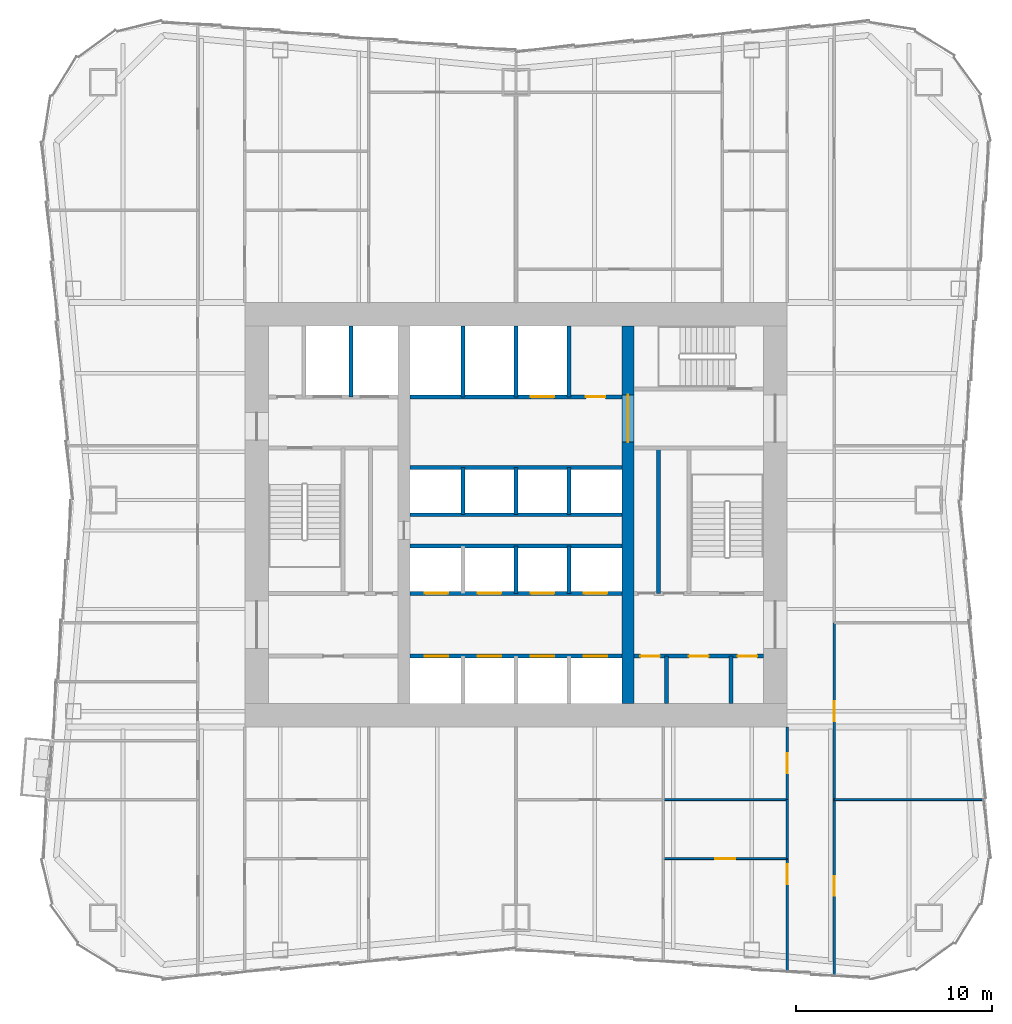
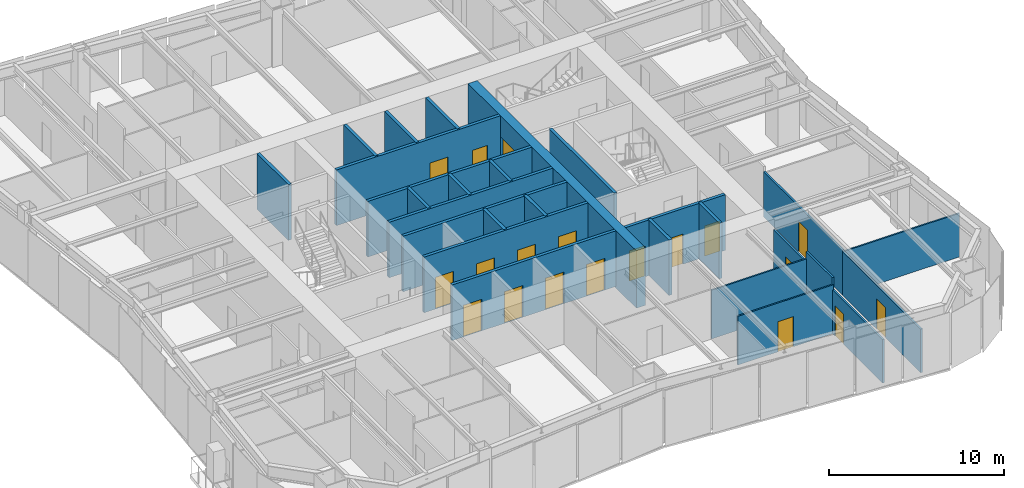
# One storey, part 5 of 9: 28 walls, 19 doors, 19 openings.
"""IFC4 building model written with IfcOpenShell, lengths in metres."""

from ifc_helpers import new_model, si_unit, direction, frame, frame_2d, origin, place, context, subcontext, project, spatial, rectangle, extrude, material, layer, layer_set, type_object, element, fill, save


model = new_model("IFC4")

# Units and contexts
model_context = context("Model", 3, precision=1e-05, world=origin(), true_north=direction((0.0, 1.0)))
body_context = subcontext(model_context, "Body", "Model", "MODEL_VIEW")
ifc_project = project(units=[si_unit("LENGTHUNIT", "METRE"), si_unit("AREAUNIT", "SQUARE_METRE"), si_unit("VOLUMEUNIT", "CUBIC_METRE"), si_unit("PLANEANGLEUNIT", "RADIAN"), si_unit("MASSUNIT", "GRAM", prefix="KILO")], contexts=[model_context])

# Site, building, storey
site_placement = place(None, origin())
site = spatial("IfcSite", under=ifc_project, at=site_placement, CompositionType="ELEMENT")
building_placement = place(site_placement, origin())
building = spatial("IfcBuilding", under=site, at=building_placement, Name="Verdant Reach Tower", CompositionType="ELEMENT")
storey_placement = place(building_placement, frame((0.0, 0.0, 102.0)))
storey = spatial("IfcBuildingStorey", under=building, at=storey_placement, Name="L23", CompositionType="ELEMENT", Elevation=102.0)

# Wall, openings, doors
ifc_material_1 = material(Name="Gypsum board on steel studs", Category="steel")
ifc_layer_1 = layer(ifc_material_1, 0.199951171875)
ifc_layer_set_1 = layer_set([ifc_layer_1], Name="CO-WALL-ROOM")
wall_type_1 = type_object("IfcWallType", Name="CO-WALL-ROOM", PredefinedType="PARTITIONING", material=ifc_layer_set_1)
wall_1_placement = place(storey_placement, frame((6.0, 20.800048828125, 0.0), z_axis=(0.0, 0.0, 1.0), x_axis=(1.0, 0.0, 0.0)))
wall_1 = element("IfcWall", 1, at=wall_1_placement, inside=storey, type_object=wall_type_1, Name="Core partition, L23", PredefinedType="PARTITIONING", context=body_context, shape_type="SweptSolid", body=[
    extrude(rectangle(XDim=6.60009765625, YDim=0.199951171875, at=frame_2d((3.300048828125, 0.0))), origin(), (0.0, 0.0, 1.0), 3.8701171875),
])
opening_1_placement = place(wall_1_placement, frame((0.324951171875, 0.0, 0.0)))
opening_1 = element("IfcOpeningElement", 2, at=opening_1_placement, cuts=wall_1, Name="Opening CD", PredefinedType="OPENING", context=body_context, shape_type="SweptSolid", body=[
    extrude(rectangle(XDim=1.0, YDim=2.10009765625, at=frame_2d((0.5, 1.050048828125))), frame((0.0, 0.10986328125, 0.0), z_axis=(0.0, -1.0, 0.0), x_axis=(1.0, 0.0, 0.0)), (0.0, 0.0, 1.0), 0.219970703125),
])
opening_2_placement = place(wall_1_placement, frame((2.800048828125, 0.0, 0.0)))
opening_2 = element("IfcOpeningElement", 3, at=opening_2_placement, cuts=wall_1, Name="Opening CD", PredefinedType="OPENING", context=body_context, shape_type="SweptSolid", body=[
    extrude(rectangle(XDim=1.0, YDim=2.10009765625, at=frame_2d((0.5, 1.050048828125))), frame((0.0, 0.10986328125, 0.0), z_axis=(0.0, -1.0, 0.0), x_axis=(1.0, 0.0, 0.0)), (0.0, 0.0, 1.0), 0.219970703125),
])
opening_3_placement = place(wall_1_placement, frame((5.27490234375, 0.0, 0.0)))
opening_3 = element("IfcOpeningElement", 4, at=opening_3_placement, cuts=wall_1, Name="Opening CD", PredefinedType="OPENING", context=body_context, shape_type="SweptSolid", body=[
    extrude(rectangle(XDim=1.0, YDim=2.10009765625, at=frame_2d((0.5, 1.050048828125))), frame((0.0, 0.10986328125, 0.0), z_axis=(0.0, -1.0, 0.0), x_axis=(1.0, 0.0, 0.0)), (0.0, 0.0, 1.0), 0.219970703125),
])
ifc_material_2 = material(Name="Timber", Category="wood")
door_type_1 = type_object("IfcDoorType", Name="CO-DOOR-ROOM", OperationType="NOTDEFINED", PredefinedType="DOOR", material=ifc_material_2)
door_1_placement = place(opening_1_placement, origin())
door_1 = element("IfcDoor", 5, at=door_1_placement, inside=storey, type_object=door_type_1, Name="Core room door, L23", OperationType="SINGLE_SWING_LEFT", OverallHeight=2.10009765625, OverallWidth=1.0, PredefinedType="DOOR", context=body_context, shape_type="SweptSolid", body=[
    extrude(rectangle(XDim=1.0, YDim=2.10009765625, at=frame_2d((0.5, 1.050048828125))), frame((0.0, 0.02490234375, 0.0), z_axis=(0.0, -1.0, 0.0), x_axis=(1.0, 0.0, 0.0)), (0.0, 0.0, 1.0), 0.050048828125),
])
fill(opening_1, door_1)
door_2_placement = place(opening_2_placement, origin())
door_2 = element("IfcDoor", 6, at=door_2_placement, inside=storey, type_object=door_type_1, Name="Core room door, L23", OperationType="SINGLE_SWING_LEFT", OverallHeight=2.10009765625, OverallWidth=1.0, PredefinedType="DOOR", context=body_context, shape_type="SweptSolid", body=[
    extrude(rectangle(XDim=1.0, YDim=2.10009765625, at=frame_2d((0.5, 1.050048828125))), frame((0.0, 0.02490234375, 0.0), z_axis=(0.0, -1.0, 0.0), x_axis=(1.0, 0.0, 0.0)), (0.0, 0.0, 1.0), 0.050048828125),
])
fill(opening_2, door_2)
door_3_placement = place(opening_3_placement, origin())
door_3 = element("IfcDoor", 7, at=door_3_placement, inside=storey, type_object=door_type_1, Name="Core room door, L23", OperationType="SINGLE_SWING_LEFT", OverallHeight=2.10009765625, OverallWidth=1.0, PredefinedType="DOOR", context=body_context, shape_type="SweptSolid", body=[
    extrude(rectangle(XDim=1.0, YDim=2.10009765625, at=frame_2d((0.5, 1.050048828125))), frame((0.0, 0.02490234375, 0.0), z_axis=(0.0, -1.0, 0.0), x_axis=(1.0, 0.0, 0.0)), (0.0, 0.0, 1.0), 0.050048828125),
])
fill(opening_3, door_3)

# Walls
wall_2_placement = place(storey_placement, frame((7.260009765625, 24.0, 0.0), z_axis=(0.0, 0.0, 1.0), x_axis=(0.0, 1.0, 0.0)))
element("IfcWall", 8, at=wall_2_placement, inside=storey, type_object=wall_type_1, Name="Core partition, L23", PredefinedType="PARTITIONING", context=body_context, shape_type="SweptSolid", body=[
    extrude(rectangle(XDim=7.39990234375, YDim=0.199951171875, at=frame_2d((3.699951171875, 0.0))), origin(), (0.0, 0.0, 1.0), 3.8701171875),
])
for number, where, z_axis, x_axis, name in (
    (9, (7.64990234375, 18.39990234375, 0.0), (0.0, 0.0, 1.0), (0.0, 1.0, 0.0), "Core partition, L23"),
    (10, (10.949951171875, 18.39990234375, 0.0), (0.0, 0.0, 1.0), (0.0, 1.0, 0.0), "Core partition, L23"),
):
    element("IfcWall", number, at=place(storey_placement, frame(where, z_axis=z_axis, x_axis=x_axis)), inside=storey, type_object=wall_type_1, Name=name, PredefinedType="PARTITIONING", context=body_context, shape_type="SweptSolid", body=[
        extrude(rectangle(XDim=2.400146484375, YDim=0.199951171875, at=frame_2d((1.2001953125, 0.0))), origin(), (0.0, 0.0, 1.0), 3.8701171875),
    ])

# Wall, openings, doors
ifc_material_3 = material(Name="Concrete C40/50", Category="concrete")
ifc_layer_2 = layer(ifc_material_3, 0.199951171875)
ifc_layer_set_2 = layer_set([ifc_layer_2], Name="CO-WALL-SHAFT")
wall_type_2 = type_object("IfcWallType", Name="CO-WALL-SHAFT", PredefinedType="PARTITIONING", material=ifc_layer_set_2)
wall_3_placement = place(storey_placement, frame((-5.39990234375, 20.800048828125, 0.0), z_axis=(0.0, 0.0, 1.0), x_axis=(1.0, 0.0, 0.0)))
wall_3 = element("IfcWall", 11, at=wall_3_placement, inside=storey, type_object=wall_type_2, Name="Lift shaft wall, L23", PredefinedType="PARTITIONING", context=body_context, shape_type="SweptSolid", body=[
    extrude(rectangle(XDim=10.7998046875, YDim=0.199951171875, at=frame_2d((5.39990234375, 0.0))), origin(), (0.0, 0.0, 1.0), 3.8701171875),
])
opening_4_placement = place(wall_3_placement, frame((0.75, 0.0, 0.0)))
opening_4 = element("IfcOpeningElement", 12, at=opening_4_placement, cuts=wall_3, Name="Opening LD-A1", PredefinedType="OPENING", context=body_context, shape_type="SweptSolid", body=[
    extrude(rectangle(XDim=1.199951171875, YDim=2.199951171875, at=frame_2d((0.60009765625, 1.10009765625))), frame((0.0, 0.10986328125, 0.0), z_axis=(0.0, -1.0, 0.0), x_axis=(1.0, 0.0, 0.0)), (0.0, 0.0, 1.0), 0.219970703125),
])
opening_5_placement = place(wall_3_placement, frame((3.449951171875, 0.0, 0.0)))
opening_5 = element("IfcOpeningElement", 13, at=opening_5_placement, cuts=wall_3, Name="Opening LD-A2", PredefinedType="OPENING", context=body_context, shape_type="SweptSolid", body=[
    extrude(rectangle(XDim=1.199951171875, YDim=2.199951171875, at=frame_2d((0.60009765625, 1.10009765625))), frame((0.0, 0.10986328125, 0.0), z_axis=(0.0, -1.0, 0.0), x_axis=(1.0, 0.0, 0.0)), (0.0, 0.0, 1.0), 0.219970703125),
])
opening_6_placement = place(wall_3_placement, frame((6.14990234375, 0.0, 0.0)))
opening_6 = element("IfcOpeningElement", 14, at=opening_6_placement, cuts=wall_3, Name="Opening LD-A3", PredefinedType="OPENING", context=body_context, shape_type="SweptSolid", body=[
    extrude(rectangle(XDim=1.199951171875, YDim=2.199951171875, at=frame_2d((0.60009765625, 1.10009765625))), frame((0.0, 0.10986328125, 0.0), z_axis=(0.0, -1.0, 0.0), x_axis=(1.0, 0.0, 0.0)), (0.0, 0.0, 1.0), 0.219970703125),
])
opening_7_placement = place(wall_3_placement, frame((8.85009765625, 0.0, 0.0)))
opening_7 = element("IfcOpeningElement", 15, at=opening_7_placement, cuts=wall_3, Name="Opening LD-A4", PredefinedType="OPENING", context=body_context, shape_type="SweptSolid", body=[
    extrude(rectangle(XDim=1.199951171875, YDim=2.199951171875, at=frame_2d((0.60009765625, 1.10009765625))), frame((0.0, 0.10986328125, 0.0), z_axis=(0.0, -1.0, 0.0), x_axis=(1.0, 0.0, 0.0)), (0.0, 0.0, 1.0), 0.219970703125),
])
ifc_material_4 = material(Name="Stainless steel", Category="steel")
door_type_2 = type_object("IfcDoorType", Name="CO-DOOR-LANDING", OperationType="SLIDING_TO_LEFT", PredefinedType="DOOR", material=ifc_material_4)
door_4_placement = place(opening_4_placement, origin())
door_4 = element("IfcDoor", 16, at=door_4_placement, inside=storey, type_object=door_type_2, Name="Landing door A1, L23", OperationType="SLIDING_TO_LEFT", OverallHeight=2.199951171875, OverallWidth=1.199951171875, PredefinedType="DOOR", context=body_context, shape_type="SweptSolid", body=[
    extrude(rectangle(XDim=1.199951171875, YDim=2.199951171875, at=frame_2d((0.60009765625, 1.10009765625))), frame((0.0, 0.02490234375, 0.0), z_axis=(0.0, -1.0, 0.0), x_axis=(1.0, 0.0, 0.0)), (0.0, 0.0, 1.0), 0.050048828125),
])
fill(opening_4, door_4)
door_5_placement = place(opening_5_placement, origin())
door_5 = element("IfcDoor", 17, at=door_5_placement, inside=storey, type_object=door_type_2, Name="Landing door A2, L23", OperationType="SLIDING_TO_LEFT", OverallHeight=2.199951171875, OverallWidth=1.199951171875, PredefinedType="DOOR", context=body_context, shape_type="SweptSolid", body=[
    extrude(rectangle(XDim=1.199951171875, YDim=2.199951171875, at=frame_2d((0.60009765625, 1.10009765625))), frame((0.0, 0.02490234375, 0.0), z_axis=(0.0, -1.0, 0.0), x_axis=(1.0, 0.0, 0.0)), (0.0, 0.0, 1.0), 0.050048828125),
])
fill(opening_5, door_5)
door_6_placement = place(opening_6_placement, origin())
door_6 = element("IfcDoor", 18, at=door_6_placement, inside=storey, type_object=door_type_2, Name="Landing door A3, L23", OperationType="SLIDING_TO_LEFT", OverallHeight=2.199951171875, OverallWidth=1.199951171875, PredefinedType="DOOR", context=body_context, shape_type="SweptSolid", body=[
    extrude(rectangle(XDim=1.199951171875, YDim=2.199951171875, at=frame_2d((0.60009765625, 1.10009765625))), frame((0.0, 0.02490234375, 0.0), z_axis=(0.0, -1.0, 0.0), x_axis=(1.0, 0.0, 0.0)), (0.0, 0.0, 1.0), 0.050048828125),
])
fill(opening_6, door_6)
door_7_placement = place(opening_7_placement, origin())
door_7 = element("IfcDoor", 19, at=door_7_placement, inside=storey, type_object=door_type_2, Name="Landing door A4, L23", OperationType="SLIDING_TO_LEFT", OverallHeight=2.199951171875, OverallWidth=1.199951171875, PredefinedType="DOOR", context=body_context, shape_type="SweptSolid", body=[
    extrude(rectangle(XDim=1.199951171875, YDim=2.199951171875, at=frame_2d((0.60009765625, 1.10009765625))), frame((0.0, 0.02490234375, 0.0), z_axis=(0.0, -1.0, 0.0), x_axis=(1.0, 0.0, 0.0)), (0.0, 0.0, 1.0), 0.050048828125),
])
fill(opening_7, door_7)

wall_4_placement = place(storey_placement, frame((-5.39990234375, 24.0, 0.0), z_axis=(0.0, 0.0, 1.0), x_axis=(1.0, 0.0, 0.0)))
wall_4 = element("IfcWall", 20, at=wall_4_placement, inside=storey, type_object=wall_type_2, Name="Lift shaft wall, L23", PredefinedType="PARTITIONING", context=body_context, shape_type="SweptSolid", body=[
    extrude(rectangle(XDim=10.7998046875, YDim=0.199951171875, at=frame_2d((5.39990234375, 0.0))), origin(), (0.0, 0.0, 1.0), 3.8701171875),
])
opening_8_placement = place(wall_4_placement, frame((0.75, 0.0, 0.0)))
opening_8 = element("IfcOpeningElement", 21, at=opening_8_placement, cuts=wall_4, Name="Opening LD-A5", PredefinedType="OPENING", context=body_context, shape_type="SweptSolid", body=[
    extrude(rectangle(XDim=1.199951171875, YDim=2.199951171875, at=frame_2d((0.60009765625, 1.10009765625))), frame((0.0, 0.10986328125, 0.0), z_axis=(0.0, -1.0, 0.0), x_axis=(1.0, 0.0, 0.0)), (0.0, 0.0, 1.0), 0.219970703125),
])
opening_9_placement = place(wall_4_placement, frame((3.449951171875, 0.0, 0.0)))
opening_9 = element("IfcOpeningElement", 22, at=opening_9_placement, cuts=wall_4, Name="Opening LD-A6", PredefinedType="OPENING", context=body_context, shape_type="SweptSolid", body=[
    extrude(rectangle(XDim=1.199951171875, YDim=2.199951171875, at=frame_2d((0.60009765625, 1.10009765625))), frame((0.0, 0.10986328125, 0.0), z_axis=(0.0, -1.0, 0.0), x_axis=(1.0, 0.0, 0.0)), (0.0, 0.0, 1.0), 0.219970703125),
])
opening_10_placement = place(wall_4_placement, frame((6.14990234375, 0.0, 0.0)))
opening_10 = element("IfcOpeningElement", 23, at=opening_10_placement, cuts=wall_4, Name="Opening LD-A7", PredefinedType="OPENING", context=body_context, shape_type="SweptSolid", body=[
    extrude(rectangle(XDim=1.199951171875, YDim=2.199951171875, at=frame_2d((0.60009765625, 1.10009765625))), frame((0.0, 0.10986328125, 0.0), z_axis=(0.0, -1.0, 0.0), x_axis=(1.0, 0.0, 0.0)), (0.0, 0.0, 1.0), 0.219970703125),
])
opening_11_placement = place(wall_4_placement, frame((8.85009765625, 0.0, 0.0)))
opening_11 = element("IfcOpeningElement", 24, at=opening_11_placement, cuts=wall_4, Name="Opening LD-A8", PredefinedType="OPENING", context=body_context, shape_type="SweptSolid", body=[
    extrude(rectangle(XDim=1.199951171875, YDim=2.199951171875, at=frame_2d((0.60009765625, 1.10009765625))), frame((0.0, 0.10986328125, 0.0), z_axis=(0.0, -1.0, 0.0), x_axis=(1.0, 0.0, 0.0)), (0.0, 0.0, 1.0), 0.219970703125),
])
door_8_placement = place(opening_8_placement, origin())
door_8 = element("IfcDoor", 25, at=door_8_placement, inside=storey, type_object=door_type_2, Name="Landing door A5, L23", OperationType="SLIDING_TO_LEFT", OverallHeight=2.199951171875, OverallWidth=1.199951171875, PredefinedType="DOOR", context=body_context, shape_type="SweptSolid", body=[
    extrude(rectangle(XDim=1.199951171875, YDim=2.199951171875, at=frame_2d((0.60009765625, 1.10009765625))), frame((0.0, 0.02490234375, 0.0), z_axis=(0.0, -1.0, 0.0), x_axis=(1.0, 0.0, 0.0)), (0.0, 0.0, 1.0), 0.050048828125),
])
fill(opening_8, door_8)
door_9_placement = place(opening_9_placement, origin())
door_9 = element("IfcDoor", 26, at=door_9_placement, inside=storey, type_object=door_type_2, Name="Landing door A6, L23", OperationType="SLIDING_TO_LEFT", OverallHeight=2.199951171875, OverallWidth=1.199951171875, PredefinedType="DOOR", context=body_context, shape_type="SweptSolid", body=[
    extrude(rectangle(XDim=1.199951171875, YDim=2.199951171875, at=frame_2d((0.60009765625, 1.10009765625))), frame((0.0, 0.02490234375, 0.0), z_axis=(0.0, -1.0, 0.0), x_axis=(1.0, 0.0, 0.0)), (0.0, 0.0, 1.0), 0.050048828125),
])
fill(opening_9, door_9)
door_10_placement = place(opening_10_placement, origin())
door_10 = element("IfcDoor", 27, at=door_10_placement, inside=storey, type_object=door_type_2, Name="Landing door A7, L23", OperationType="SLIDING_TO_LEFT", OverallHeight=2.199951171875, OverallWidth=1.199951171875, PredefinedType="DOOR", context=body_context, shape_type="SweptSolid", body=[
    extrude(rectangle(XDim=1.199951171875, YDim=2.199951171875, at=frame_2d((0.60009765625, 1.10009765625))), frame((0.0, 0.02490234375, 0.0), z_axis=(0.0, -1.0, 0.0), x_axis=(1.0, 0.0, 0.0)), (0.0, 0.0, 1.0), 0.050048828125),
])
fill(opening_10, door_10)
door_11_placement = place(opening_11_placement, origin())
door_11 = element("IfcDoor", 28, at=door_11_placement, inside=storey, type_object=door_type_2, Name="Landing door A8, L23", OperationType="SLIDING_TO_LEFT", OverallHeight=2.199951171875, OverallWidth=1.199951171875, PredefinedType="DOOR", context=body_context, shape_type="SweptSolid", body=[
    extrude(rectangle(XDim=1.199951171875, YDim=2.199951171875, at=frame_2d((0.60009765625, 1.10009765625))), frame((0.0, 0.02490234375, 0.0), z_axis=(0.0, -1.0, 0.0), x_axis=(1.0, 0.0, 0.0)), (0.0, 0.0, 1.0), 0.050048828125),
])
fill(opening_11, door_11)

# Walls
for number, where, z_axis, x_axis, name in (
    (29, (-5.39990234375, 26.39990234375, 0.0), (0.0, 0.0, 1.0), (1.0, 0.0, 0.0), "Lift shaft wall, L23"),
    (30, (-5.39990234375, 28.0, 0.0), (0.0, 0.0, 1.0), (1.0, 0.0, 0.0), "Lift shaft wall, L23"),
    (31, (-5.39990234375, 30.39990234375, 0.0), (0.0, 0.0, 1.0), (1.0, 0.0, 0.0), "Lift shaft wall, L23"),
):
    element("IfcWall", number, at=place(storey_placement, frame(where, z_axis=z_axis, x_axis=x_axis)), inside=storey, type_object=wall_type_2, Name=name, PredefinedType="PARTITIONING", context=body_context, shape_type="SweptSolid", body=[
        extrude(rectangle(XDim=10.7998046875, YDim=0.199951171875, at=frame_2d((5.39990234375, 0.0))), origin(), (0.0, 0.0, 1.0), 3.8701171875),
    ])

# Wall, openings, doors
wall_5_placement = place(storey_placement, frame((-5.39990234375, 34.0, 0.0), z_axis=(0.0, 0.0, 1.0), x_axis=(1.0, 0.0, 0.0)))
wall_5 = element("IfcWall", 32, at=wall_5_placement, inside=storey, type_object=wall_type_2, Name="Lift shaft wall, L23", PredefinedType="PARTITIONING", context=body_context, shape_type="SweptSolid", body=[
    extrude(rectangle(XDim=10.7998046875, YDim=0.199951171875, at=frame_2d((5.39990234375, 0.0))), origin(), (0.0, 0.0, 1.0), 3.8701171875),
])
opening_12_placement = place(wall_5_placement, frame((6.14990234375, 0.0, 0.0)))
opening_12 = element("IfcOpeningElement", 33, at=opening_12_placement, cuts=wall_5, Name="Opening LD-SL1", PredefinedType="OPENING", context=body_context, shape_type="SweptSolid", body=[
    extrude(rectangle(XDim=1.199951171875, YDim=2.199951171875, at=frame_2d((0.60009765625, 1.10009765625))), frame((0.0, 0.10986328125, 0.0), z_axis=(0.0, -1.0, 0.0), x_axis=(1.0, 0.0, 0.0)), (0.0, 0.0, 1.0), 0.219970703125),
])
opening_13_placement = place(wall_5_placement, frame((8.949951171875, 0.0, 0.0)))
opening_13 = element("IfcOpeningElement", 34, at=opening_13_placement, cuts=wall_5, Name="Opening CD", PredefinedType="OPENING", context=body_context, shape_type="SweptSolid", body=[
    extrude(rectangle(XDim=1.0, YDim=2.10009765625, at=frame_2d((0.5, 1.050048828125))), frame((0.0, 0.10986328125, 0.0), z_axis=(0.0, -1.0, 0.0), x_axis=(1.0, 0.0, 0.0)), (0.0, 0.0, 1.0), 0.219970703125),
])
door_12_placement = place(opening_12_placement, origin())
door_12 = element("IfcDoor", 35, at=door_12_placement, inside=storey, type_object=door_type_2, Name="Landing door SL1, L23", OperationType="SLIDING_TO_LEFT", OverallHeight=2.199951171875, OverallWidth=1.199951171875, PredefinedType="DOOR", context=body_context, shape_type="SweptSolid", body=[
    extrude(rectangle(XDim=1.199951171875, YDim=2.199951171875, at=frame_2d((0.60009765625, 1.10009765625))), frame((0.0, 0.02490234375, 0.0), z_axis=(0.0, -1.0, 0.0), x_axis=(1.0, 0.0, 0.0)), (0.0, 0.0, 1.0), 0.050048828125),
])
fill(opening_12, door_12)
door_13_placement = place(opening_13_placement, origin())
door_13 = element("IfcDoor", 36, at=door_13_placement, inside=storey, type_object=door_type_1, Name="Core room door, L23", OperationType="SINGLE_SWING_LEFT", OverallHeight=2.10009765625, OverallWidth=1.0, PredefinedType="DOOR", context=body_context, shape_type="SweptSolid", body=[
    extrude(rectangle(XDim=1.0, YDim=2.10009765625, at=frame_2d((0.5, 1.050048828125))), frame((0.0, 0.02490234375, 0.0), z_axis=(0.0, -1.0, 0.0), x_axis=(1.0, 0.0, 0.0)), (0.0, 0.0, 1.0), 0.050048828125),
])
fill(opening_13, door_13)

# Walls
wall_6_placement = place(storey_placement, frame((-8.39990234375, 34.0, 0.0), z_axis=(0.0, 0.0, 1.0), x_axis=(0.0, 1.0, 0.0)))
element("IfcWall", 37, at=wall_6_placement, inside=storey, type_object=wall_type_2, Name="Lift shaft wall, L23", PredefinedType="PARTITIONING", context=body_context, shape_type="SweptSolid", body=[
    extrude(rectangle(XDim=3.60009765625, YDim=0.199951171875, at=frame_2d((1.800048828125, 0.0))), origin(), (0.0, 0.0, 1.0), 3.8701171875),
])
wall_7_placement = place(storey_placement, frame((-2.699951171875, 28.0, 0.0), z_axis=(0.0, 0.0, 1.0), x_axis=(0.0, 1.0, 0.0)))
element("IfcWall", 38, at=wall_7_placement, inside=storey, type_object=wall_type_2, Name="Lift shaft wall, L23", PredefinedType="PARTITIONING", context=body_context, shape_type="SweptSolid", body=[
    extrude(rectangle(XDim=2.39990234375, YDim=0.199951171875, at=frame_2d((1.199951171875, 0.0))), origin(), (0.0, 0.0, 1.0), 3.8701171875),
])
wall_8_placement = place(storey_placement, frame((-2.699951171875, 34.0, 0.0), z_axis=(0.0, 0.0, 1.0), x_axis=(0.0, 1.0, 0.0)))
element("IfcWall", 39, at=wall_8_placement, inside=storey, type_object=wall_type_2, Name="Lift shaft wall, L23", PredefinedType="PARTITIONING", context=body_context, shape_type="SweptSolid", body=[
    extrude(rectangle(XDim=3.60009765625, YDim=0.199951171875, at=frame_2d((1.800048828125, 0.0))), origin(), (0.0, 0.0, 1.0), 3.8701171875),
])
for number, where, z_axis, x_axis, name in (
    (40, (0.0, 24.0, 0.0), (0.0, 0.0, 1.0), (0.0, 1.0, 0.0), "Lift shaft wall, L23"),
    (41, (0.0, 28.0, 0.0), (0.0, 0.0, 1.0), (0.0, 1.0, 0.0), "Lift shaft wall, L23"),
):
    element("IfcWall", number, at=place(storey_placement, frame(where, z_axis=z_axis, x_axis=x_axis)), inside=storey, type_object=wall_type_2, Name=name, PredefinedType="PARTITIONING", context=body_context, shape_type="SweptSolid", body=[
        extrude(rectangle(XDim=2.39990234375, YDim=0.199951171875, at=frame_2d((1.199951171875, 0.0))), origin(), (0.0, 0.0, 1.0), 3.8701171875),
    ])
wall_9_placement = place(storey_placement, frame((0.0, 34.0, 0.0), z_axis=(0.0, 0.0, 1.0), x_axis=(0.0, 1.0, 0.0)))
element("IfcWall", 42, at=wall_9_placement, inside=storey, type_object=wall_type_2, Name="Lift shaft wall, L23", PredefinedType="PARTITIONING", context=body_context, shape_type="SweptSolid", body=[
    extrude(rectangle(XDim=3.60009765625, YDim=0.199951171875, at=frame_2d((1.800048828125, 0.0))), origin(), (0.0, 0.0, 1.0), 3.8701171875),
])
for number, where, z_axis, x_axis, name in (
    (43, (2.699951171875, 24.0, 0.0), (0.0, 0.0, 1.0), (0.0, 1.0, 0.0), "Lift shaft wall, L23"),
    (44, (2.699951171875, 28.0, 0.0), (0.0, 0.0, 1.0), (0.0, 1.0, 0.0), "Lift shaft wall, L23"),
):
    element("IfcWall", number, at=place(storey_placement, frame(where, z_axis=z_axis, x_axis=x_axis)), inside=storey, type_object=wall_type_2, Name=name, PredefinedType="PARTITIONING", context=body_context, shape_type="SweptSolid", body=[
        extrude(rectangle(XDim=2.39990234375, YDim=0.199951171875, at=frame_2d((1.199951171875, 0.0))), origin(), (0.0, 0.0, 1.0), 3.8701171875),
    ])
wall_10_placement = place(storey_placement, frame((2.699951171875, 34.0, 0.0), z_axis=(0.0, 0.0, 1.0), x_axis=(0.0, 1.0, 0.0)))
element("IfcWall", 45, at=wall_10_placement, inside=storey, type_object=wall_type_2, Name="Lift shaft wall, L23", PredefinedType="PARTITIONING", context=body_context, shape_type="SweptSolid", body=[
    extrude(rectangle(XDim=3.60009765625, YDim=0.199951171875, at=frame_2d((1.800048828125, 0.0))), origin(), (0.0, 0.0, 1.0), 3.8701171875),
])
ifc_layer_3 = layer(ifc_material_1, 0.10009765625)
ifc_layer_set_3 = layer_set([ifc_layer_3], Name="FL-W1 Partition 100")
wall_type_3 = type_object("IfcWallType", Name="FL-W1 Partition 100", PredefinedType="PARTITIONING", material=ifc_layer_set_3)
wall_11_placement = place(storey_placement, frame((23.83349609375, 13.5, 0.0), z_axis=(0.0, 0.0, 1.0), x_axis=(-1.0, 0.0, 0.0)))
element("IfcWall", 46, at=wall_11_placement, inside=storey, type_object=wall_type_3, Name="Partition 23.31", PredefinedType="PARTITIONING", context=body_context, shape_type="SweptSolid", body=[
    extrude(rectangle(XDim=7.633544921875, YDim=0.10009765625, at=frame_2d((3.81689453125, 0.0))), origin(), (0.0, 0.0, 1.0), 3.0400390625),
])

# Wall, opening, door
wall_12_placement = place(storey_placement, frame((7.5, 10.5, 0.0), z_axis=(0.0, 0.0, 1.0), x_axis=(1.0, 0.0, 0.0)))
wall_12 = element("IfcWall", 47, at=wall_12_placement, inside=storey, type_object=wall_type_3, Name="Partition 23.42", PredefinedType="PARTITIONING", context=body_context, shape_type="SweptSolid", body=[
    extrude(rectangle(XDim=6.300048828125, YDim=0.10009765625, at=frame_2d((3.14990234375, 0.0))), origin(), (0.0, 0.0, 1.0), 3.389892578125),
])
opening_14_placement = place(wall_12_placement, frame((2.64990234375, 0.0, 0.0)))
opening_14 = element("IfcOpeningElement", 48, at=opening_14_placement, cuts=wall_12, Name="Opening D3", PredefinedType="OPENING", context=body_context, shape_type="SweptSolid", body=[
    extrude(rectangle(XDim=1.0, YDim=2.10009765625, at=frame_2d((0.5, 1.050048828125))), frame((0.0, 0.06005859375, 0.0), z_axis=(0.0, -1.0, 0.0), x_axis=(1.0, 0.0, 0.0)), (0.0, 0.0, 1.0), 0.1201171875),
])
ifc_material_5 = material(Name="Painted timber door leaf", Category="wood")
door_type_3 = type_object("IfcDoorType", Name="FL-D3 Door 1000x2100", OperationType="NOTDEFINED", PredefinedType="DOOR", material=ifc_material_5)
door_14_placement = place(opening_14_placement, origin())
door_14 = element("IfcDoor", 49, at=door_14_placement, inside=storey, type_object=door_type_3, Name="Door 23-022", OperationType="SINGLE_SWING_RIGHT", OverallHeight=2.10009765625, OverallWidth=1.0, PredefinedType="DOOR", context=body_context, shape_type="SweptSolid", body=[
    extrude(rectangle(XDim=1.0, YDim=2.10009765625, at=frame_2d((0.5, 1.050048828125))), frame((0.0, 0.02490234375, 0.0), z_axis=(0.0, -1.0, 0.0), x_axis=(1.0, 0.0, 0.0)), (0.0, 0.0, 1.0), 0.050048828125),
])
fill(opening_14, door_14)

# Wall
wall_13_placement = place(storey_placement, frame((13.800048828125, 13.5, 0.0), z_axis=(0.0, 0.0, 1.0), x_axis=(-1.0, 0.0, 0.0)))
element("IfcWall", 50, at=wall_13_placement, inside=storey, type_object=wall_type_3, Name="Partition 23.44", PredefinedType="PARTITIONING", context=body_context, shape_type="SweptSolid", body=[
    extrude(rectangle(XDim=6.300048828125, YDim=0.10009765625, at=frame_2d((3.14990234375, 0.0))), origin(), (0.0, 0.0, 1.0), 3.389892578125),
])

# Wall, opening, door
ifc_material_6 = material(Name="Gypsum board on steel studs, fire rated", Category="steel")
ifc_layer_4 = layer(ifc_material_6, 0.125)
ifc_layer_set_4 = layer_set([ifc_layer_4], Name="FL-W2 Corridor wall 125")
wall_type_4 = type_object("IfcWallType", Name="FL-W2 Corridor wall 125", PredefinedType="PARTITIONING", material=ifc_layer_set_4)
wall_14_placement = place(storey_placement, frame((16.199951171875, 13.5, 0.0), z_axis=(0.0, 0.0, 1.0), x_axis=(0.0, -1.0, 0.0)))
wall_14 = element("IfcWall", 51, at=wall_14_placement, inside=storey, type_object=wall_type_4, Name="Partition 23.14", PredefinedType="PARTITIONING", context=body_context, shape_type="SweptSolid", body=[
    extrude(rectangle(XDim=8.929931640625, YDim=0.125, at=frame_2d((4.46484375, 0.0))), origin(), (0.0, 0.0, 1.0), 3.0400390625),
])
opening_15_placement = place(wall_14_placement, frame((3.89990234375, 0.0, 0.0)))
opening_15 = element("IfcOpeningElement", 52, at=opening_15_placement, cuts=wall_14, Name="Opening D2", PredefinedType="OPENING", context=body_context, shape_type="SweptSolid", body=[
    extrude(rectangle(XDim=1.0, YDim=2.10009765625, at=frame_2d((0.5, 1.050048828125))), frame((0.0, 0.072509765625, 0.0), z_axis=(0.0, -1.0, 0.0), x_axis=(1.0, 0.0, 0.0)), (0.0, 0.0, 1.0), 0.14501953125),
])
ifc_material_7 = material(Name="Timber door leaf, fire rated", Category="wood")
door_type_4 = type_object("IfcDoorType", Name="FL-D2 Entrance door 1000x2100 FD30", OperationType="NOTDEFINED", PredefinedType="DOOR", material=ifc_material_7)
door_15_placement = place(opening_15_placement, origin())
door_15 = element("IfcDoor", 53, at=door_15_placement, inside=storey, type_object=door_type_4, Name="Door 23-011", OperationType="SINGLE_SWING_LEFT", OverallHeight=2.10009765625, OverallWidth=1.0, PredefinedType="DOOR", context=body_context, shape_type="SweptSolid", body=[
    extrude(rectangle(XDim=1.0, YDim=2.10009765625, at=frame_2d((0.5, 1.050048828125))), frame((0.0, 0.02490234375, 0.0), z_axis=(0.0, -1.0, 0.0), x_axis=(1.0, 0.0, 0.0)), (0.0, 0.0, 1.0), 0.050048828125),
])
fill(opening_15, door_15)

wall_15_placement = place(storey_placement, frame((16.199951171875, 22.5, 0.0), z_axis=(0.0, 0.0, 1.0), x_axis=(0.0, -1.0, 0.0)))
wall_15 = element("IfcWall", 54, at=wall_15_placement, inside=storey, type_object=wall_type_4, Name="Partition 23.15", PredefinedType="PARTITIONING", context=body_context, shape_type="SweptSolid", body=[
    extrude(rectangle(XDim=9.0, YDim=0.125, at=frame_2d((4.5, 0.0))), origin(), (0.0, 0.0, 1.0), 3.139892578125),
])
opening_16_placement = place(wall_15_placement, frame((4.0, 0.0, 0.0)))
opening_16 = element("IfcOpeningElement", 55, at=opening_16_placement, cuts=wall_15, Name="Opening D2", PredefinedType="OPENING", context=body_context, shape_type="SweptSolid", body=[
    extrude(rectangle(XDim=1.0, YDim=2.10009765625, at=frame_2d((0.5, 1.050048828125))), frame((0.0, 0.072509765625, 0.0), z_axis=(0.0, -1.0, 0.0), x_axis=(1.0, 0.0, 0.0)), (0.0, 0.0, 1.0), 0.14501953125),
])
door_16_placement = place(opening_16_placement, origin())
door_16 = element("IfcDoor", 56, at=door_16_placement, inside=storey, type_object=door_type_4, Name="Door 23-012", OperationType="SINGLE_SWING_RIGHT", OverallHeight=2.10009765625, OverallWidth=1.0, PredefinedType="DOOR", context=body_context, shape_type="SweptSolid", body=[
    extrude(rectangle(XDim=1.0, YDim=2.10009765625, at=frame_2d((0.5, 1.050048828125))), frame((0.0, 0.02490234375, 0.0), z_axis=(0.0, -1.0, 0.0), x_axis=(1.0, 0.0, 0.0)), (0.0, 0.0, 1.0), 0.050048828125),
])
fill(opening_16, door_16)

wall_16_placement = place(storey_placement, frame((13.800048828125, 4.77001953125, 0.0), z_axis=(0.0, 0.0, 1.0), x_axis=(0.0, 1.0, 0.0)))
wall_16 = element("IfcWall", 57, at=wall_16_placement, inside=storey, type_object=wall_type_4, Name="Partition 23.19", PredefinedType="PARTITIONING", context=body_context, shape_type="SweptSolid", body=[
    extrude(rectangle(XDim=5.72998046875, YDim=0.125, at=frame_2d((2.864990234375, 0.0))), origin(), (0.0, 0.0, 1.0), 3.0400390625),
])
opening_17_placement = place(wall_16_placement, frame((4.43017578125, 0.0, 0.0)))
opening_17 = element("IfcOpeningElement", 58, at=opening_17_placement, cuts=wall_16, Name="Opening D2", PredefinedType="OPENING", context=body_context, shape_type="SweptSolid", body=[
    extrude(rectangle(XDim=1.0, YDim=2.10009765625, at=frame_2d((0.5, 1.050048828125))), frame((0.0, 0.072509765625, 0.0), z_axis=(0.0, -1.0, 0.0), x_axis=(1.0, 0.0, 0.0)), (0.0, 0.0, 1.0), 0.14501953125),
])
door_17_placement = place(opening_17_placement, origin())
door_17 = element("IfcDoor", 59, at=door_17_placement, inside=storey, type_object=door_type_4, Name="Door 23-016", OperationType="SINGLE_SWING_RIGHT", OverallHeight=2.10009765625, OverallWidth=1.0, PredefinedType="DOOR", context=body_context, shape_type="SweptSolid", body=[
    extrude(rectangle(XDim=1.0, YDim=2.10009765625, at=frame_2d((0.5, 1.050048828125))), frame((0.0, 0.02490234375, 0.0), z_axis=(0.0, -1.0, 0.0), x_axis=(1.0, 0.0, 0.0)), (0.0, 0.0, 1.0), 0.050048828125),
])
fill(opening_17, door_17)

# Wall
wall_17_placement = place(storey_placement, frame((13.800048828125, 13.5, 0.0), z_axis=(0.0, 0.0, 1.0), x_axis=(0.0, -1.0, 0.0)))
element("IfcWall", 60, at=wall_17_placement, inside=storey, type_object=wall_type_4, Name="Partition 23.20", PredefinedType="PARTITIONING", context=body_context, shape_type="SweptSolid", body=[
    extrude(rectangle(XDim=3.0, YDim=0.125, at=frame_2d((1.5, 0.0))), origin(), (0.0, 0.0, 1.0), 3.8701171875),
])

# Wall, opening, door
wall_18_placement = place(storey_placement, frame((13.800048828125, 13.5, 0.0), z_axis=(0.0, 0.0, 1.0), x_axis=(0.0, 1.0, 0.0)))
wall_18 = element("IfcWall", 61, at=wall_18_placement, inside=storey, type_object=wall_type_4, Name="Partition 23.21", PredefinedType="PARTITIONING", context=body_context, shape_type="SweptSolid", body=[
    extrude(rectangle(XDim=3.699951171875, YDim=0.125, at=frame_2d((1.85009765625, 0.0))), origin(), (0.0, 0.0, 1.0), 3.139892578125),
])
opening_18_placement = place(wall_18_placement, frame((1.35009765625, 0.0, 0.0)))
opening_18 = element("IfcOpeningElement", 62, at=opening_18_placement, cuts=wall_18, Name="Opening D2", PredefinedType="OPENING", context=body_context, shape_type="SweptSolid", body=[
    extrude(rectangle(XDim=1.0, YDim=2.10009765625, at=frame_2d((0.5, 1.050048828125))), frame((0.0, 0.072509765625, 0.0), z_axis=(0.0, -1.0, 0.0), x_axis=(1.0, 0.0, 0.0)), (0.0, 0.0, 1.0), 0.14501953125),
])
door_18_placement = place(opening_18_placement, origin())
door_18 = element("IfcDoor", 63, at=door_18_placement, inside=storey, type_object=door_type_4, Name="Door 23-017", OperationType="SINGLE_SWING_LEFT", OverallHeight=2.10009765625, OverallWidth=1.0, PredefinedType="DOOR", context=body_context, shape_type="SweptSolid", body=[
    extrude(rectangle(XDim=1.0, YDim=2.10009765625, at=frame_2d((0.5, 1.050048828125))), frame((0.0, 0.02490234375, 0.0), z_axis=(0.0, -1.0, 0.0), x_axis=(1.0, 0.0, 0.0)), (0.0, 0.0, 1.0), 0.050048828125),
])
fill(opening_18, door_18)

ifc_material_8 = material(Name="Concrete C70/85", Category="concrete")
ifc_layer_5 = layer(ifc_material_8, 0.60009765625)
ifc_layer_set_5 = layer_set([ifc_layer_5], Name="ST-CORE-WALL-600")
wall_type_5 = type_object("IfcWallType", Name="ST-CORE-WALL-600", PredefinedType="SHEAR", material=ifc_layer_set_5)
wall_19_placement = place(storey_placement, frame((5.699951171875, 18.39990234375, -0.1298828125), z_axis=(0.0, 0.0, 1.0), x_axis=(0.0, 1.0, 0.0)))
wall_19 = element("IfcWall", 64, at=wall_19_placement, inside=storey, type_object=wall_type_5, Name="Core wall XE, L23", PredefinedType="SHEAR", context=body_context, shape_type="SweptSolid", body=[
    extrude(rectangle(XDim=19.2001953125, YDim=0.60009765625, at=frame_2d((9.60009765625, 0.0))), origin(), (0.0, 0.0, 1.0), 4.0),
])
opening_19_placement = place(wall_19_placement, frame((13.300048828125, 0.0, 0.1298828125)))
opening_19 = element("IfcOpeningElement", 65, at=opening_19_placement, cuts=wall_19, Name="Opening LB", PredefinedType="OPENING", context=body_context, shape_type="SweptSolid", body=[
    extrude(rectangle(XDim=2.39990234375, YDim=2.39990234375, at=frame_2d((1.199951171875, 1.199951171875))), frame((0.0, 0.31005859375, 0.0), z_axis=(0.0, -1.0, 0.0), x_axis=(1.0, 0.0, 0.0)), (0.0, 0.0, 1.0), 0.6201171875),
])
ifc_material_9 = material(Name="Glass and steel", Category="steel")
door_type_5 = type_object("IfcDoorType", Name="CO-DOOR-LOBBY", OperationType="DOUBLE_DOOR_SINGLE_SWING", PredefinedType="DOOR", material=ifc_material_9)
door_19_placement = place(opening_19_placement, origin())
door_19 = element("IfcDoor", 66, at=door_19_placement, inside=storey, type_object=door_type_5, Name="Core entrance door, L23", OperationType="DOUBLE_DOOR_SINGLE_SWING", OverallHeight=2.39990234375, OverallWidth=2.39990234375, PredefinedType="DOOR", context=body_context, shape_type="SweptSolid", body=[
    extrude(rectangle(XDim=2.39990234375, YDim=2.39990234375, at=frame_2d((1.199951171875, 1.199951171875))), frame((0.0, 0.02490234375, 0.0), z_axis=(0.0, -1.0, 0.0), x_axis=(1.0, 0.0, 0.0)), (0.0, 0.0, 1.0), 0.050048828125),
])
fill(opening_19, door_19)

save(model, "model.ifc")
